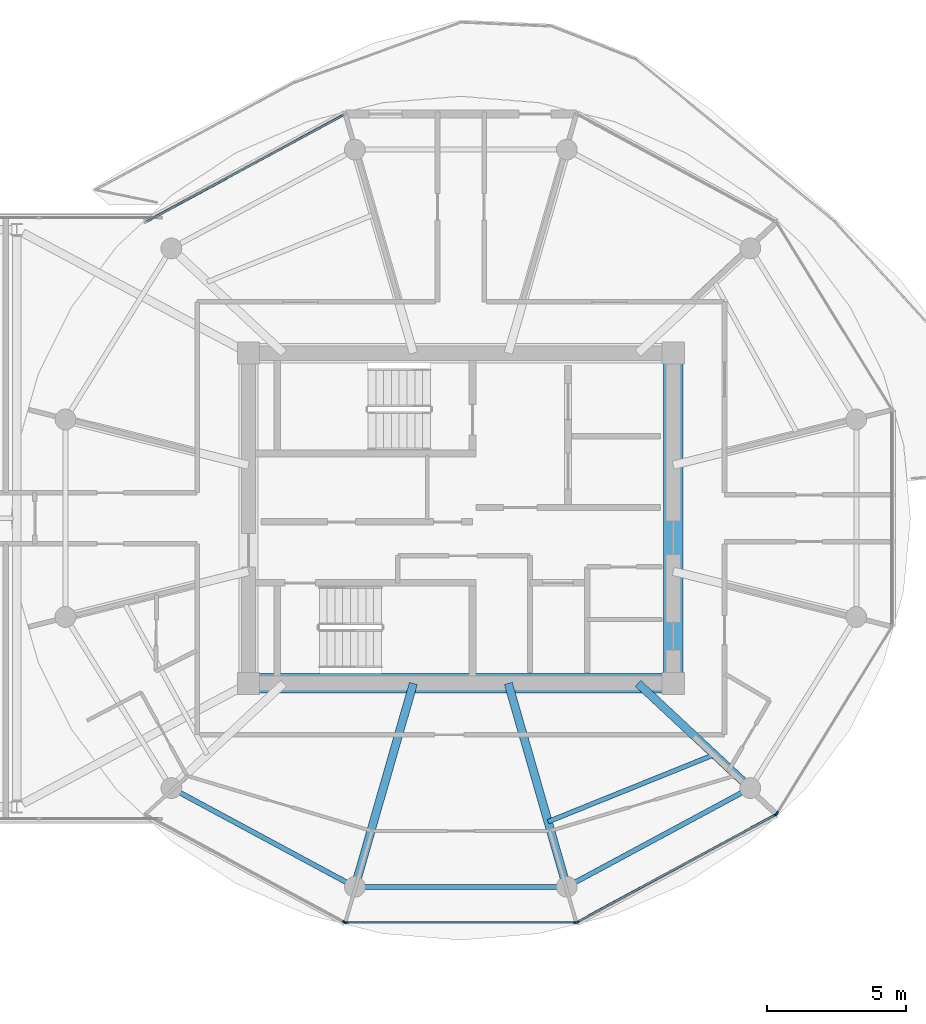
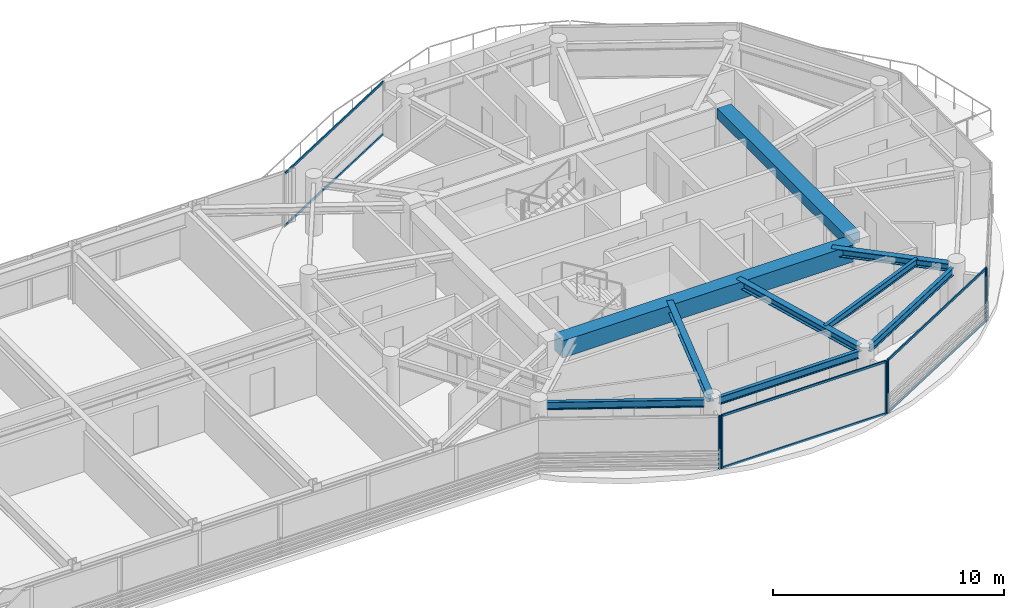
# One storey, part 9 of 23: 12 members, 9 beams, 5 elements without a shape of their own.
"""IFC4 building model written with IfcOpenShell, lengths in metres."""

from ifc_helpers import new_model, si_unit, direction, frame, origin, origin_2d, place, context, subcontext, project, spatial, rectangle, i_section, extrude, source, transform, mapped, material, layer, layer_set, material_profile, profile_set, type_object, type_shapes, element, aggregate, save


model = new_model("IFC4")

# Units and contexts
model_context = context("Model", 3, precision=1e-05, world=origin(), true_north=direction((0.0, 1.0)))
body_context = subcontext(model_context, "Body", "Model", "MODEL_VIEW")
ifc_project = project(units=[si_unit("LENGTHUNIT", "METRE"), si_unit("AREAUNIT", "SQUARE_METRE"), si_unit("VOLUMEUNIT", "CUBIC_METRE"), si_unit("PLANEANGLEUNIT", "RADIAN"), si_unit("MASSUNIT", "GRAM", prefix="KILO")], contexts=[model_context])

# Site, building, storey
site_placement = place(None, origin())
site = spatial("IfcSite", under=ifc_project, at=site_placement, CompositionType="ELEMENT")
building_placement = place(site_placement, origin())
building = spatial("IfcBuilding", under=site, at=building_placement, Name="Norrkilde Senior Care Towers", CompositionType="ELEMENT")
storey_placement = place(building_placement, frame((0.0, 0.0, 229.14990234375)))
storey = spatial("IfcBuildingStorey", under=building, at=storey_placement, Name="L71", CompositionType="ELEMENT", Elevation=229.14990234375)

# Beams
ifc_material_1 = material(Name="Concrete C60/75", Category="concrete")
ifc_material_profile_1 = material_profile(ifc_material_1, rectangle(XDim=0.699951171875, YDim=0.89990234375, at=origin_2d()), Name="RC BM 700x900")
ifc_profile_set_1 = profile_set([ifc_material_profile_1], Name="Concrete C60/75")
beam_type_1 = type_object("IfcBeamType", Name="Core Coupling Girder 700x900", PredefinedType="USERDEFINED", material=ifc_profile_set_1)
shared_shape_1 = source(origin(), body_context, "Body", "SweptSolid", [
    extrude(rectangle(XDim=0.699951171875, YDim=0.89990234375, at=origin_2d()), origin(), (0.0, 0.0, 1.0), 14.5400390625),
])
type_shapes(beam_type_1, [shared_shape_1])
beam_1_placement = place(storey_placement, frame((20.72998046875, -5.949951171875, 2.360107421875), z_axis=(1.0, 0.0, 0.0), x_axis=(0.0, 1.0, 0.0)))
element("IfcBeam", 1, at=beam_1_placement, inside=storey, type_object=beam_type_1, Name="L71 Core E S Coupling Girder", ObjectType="GIRDER", PredefinedType="USERDEFINED", context=body_context, shape_type="MappedRepresentation", body=[
    mapped(shared_shape_1, transform((0.0, 0.0, 0.0), x_axis=(1.0, 0.0, 0.0), y_axis=(0.0, 1.0, 0.0), z_axis=(0.0, 0.0, 1.0), scale=1.0)),
])
ifc_material_profile_2 = material_profile(ifc_material_1, rectangle(XDim=0.699951171875, YDim=0.550048828125, at=origin_2d()), Name="RC BM 700x550")
ifc_profile_set_2 = profile_set([ifc_material_profile_2], Name="Concrete C60/75")
beam_type_2 = type_object("IfcBeamType", Name="Core Portal Coupling Beam 700x550", PredefinedType="USERDEFINED", material=ifc_profile_set_2)
shared_shape_2 = source(origin(), body_context, "Body", "SweptSolid", [
    extrude(rectangle(XDim=0.699951171875, YDim=0.550048828125, at=origin_2d()), origin(), (0.0, 0.0, 1.0), 11.14013671875),
])
type_shapes(beam_type_2, [shared_shape_2])
beam_2_placement = place(storey_placement, frame((35.64990234375, -5.570068359375, 2.53515625), z_axis=(0.0, 1.0, 0.0), x_axis=(-1.0, 0.0, 0.0)))
element("IfcBeam", 2, at=beam_2_placement, inside=storey, type_object=beam_type_2, Name="L71 Core E E Coupling Girder", ObjectType="GIRDER", PredefinedType="USERDEFINED", context=body_context, shape_type="MappedRepresentation", body=[
    mapped(shared_shape_2, transform((0.0, 0.0, 0.0), x_axis=(1.0, 0.0, 0.0), y_axis=(0.0, 1.0, 0.0), z_axis=(0.0, 0.0, 1.0), scale=1.0)),
])
ifc_material_2 = material(Name="Steel S355", Category="steel")
ifc_material_profile_3 = material_profile(ifc_material_2, i_section(OverallWidth=0.179931640625, OverallDepth=0.39990234375, WebThickness=0.008544921875, FlangeThickness=0.013427734375, FilletRadius=0.02099609375, at=origin_2d()), Name="IPE 400")
ifc_profile_set_3 = profile_set([ifc_material_profile_3], Name="Steel S355")
beam_type_3 = type_object("IfcBeamType", Name="Perimeter Ring Spandrel Z4 IPE400", PredefinedType="SPANDREL", material=ifc_profile_set_3)
shared_shape_3 = source(origin(), body_context, "Body", "SweptSolid", [
    extrude(i_section(OverallWidth=0.179931640625, OverallDepth=0.39990234375, WebThickness=0.008544921875, FlangeThickness=0.013427734375, FilletRadius=0.02099609375, at=origin_2d()), origin(), (0.0, 0.0, 1.0), 6.839111328125),
])
for number, where, z_axis, x_axis, name in (
    (3, (17.865234375, -9.881591796875, 2.610107421875), (0.880563930732, -0.473927382511, 0.0), (0.473927382511, 0.880563930732, 0.0), "L71 Drum E Perimeter Spandrel 08"),
    (4, (32.112548828125, -13.122802734375, 2.610107421875), (0.880563930732, 0.473927382511, 0.0), (-0.473927382511, 0.880563930732, 0.0), "L71 Drum E Perimeter Spandrel 10"),
):
    element("IfcBeam", number, at=place(storey_placement, frame(where, z_axis=z_axis, x_axis=x_axis)), inside=storey, type_object=beam_type_3, Name=name, PredefinedType="SPANDREL", context=body_context, shape_type="MappedRepresentation", body=[
        mapped(shared_shape_3, transform((0.0, 0.0, 0.0), x_axis=(1.0, 0.0, 0.0), y_axis=(0.0, 1.0, 0.0), z_axis=(0.0, 0.0, 1.0), scale=1.0)),
    ])
ifc_material_profile_4 = material_profile(ifc_material_2, i_section(OverallWidth=0.300048828125, OverallDepth=0.39990234375, WebThickness=0.013427734375, FlangeThickness=0.02392578125, FilletRadius=0.027099609375, at=origin_2d()), Name="HEB 400")
ifc_profile_set_4 = profile_set([ifc_material_profile_4], Name="Steel S355")
beam_type_4 = type_object("IfcBeamType", Name="Radial Floor Beam Z4 HEB400", PredefinedType="BEAM", material=ifc_profile_set_4)
shared_shape_4 = source(origin(), body_context, "Body", "SweptSolid", [
    extrude(i_section(OverallWidth=0.300048828125, OverallDepth=0.39990234375, WebThickness=0.013427734375, FlangeThickness=0.02392578125, FilletRadius=0.027099609375, at=origin_2d()), origin(), (0.0, 0.0, 1.0), 5.197998046875),
])
beam_3_placement = place(storey_placement, frame((34.3828125, -5.949951171875, 2.610107421875), z_axis=(0.731448749334, -0.681896419625, 0.0), x_axis=(0.681896419625, 0.731448749334, 0.0)))
element("IfcBeam", 5, at=beam_3_placement, inside=storey, type_object=beam_type_4, Name="L71 Drum E Radial Floor Beam 11", PredefinedType="BEAM", context=body_context, shape_type="MappedRepresentation", body=[
    mapped(shared_shape_4, transform((0.0, 0.0, 0.0), x_axis=(1.0, 0.0, 0.0), y_axis=(0.0, 1.0, 0.0), z_axis=(0.0, 0.0, 1.0), scale=1.0)),
])
shared_shape_5 = source(origin(), body_context, "Body", "SweptSolid", [
    extrude(i_section(OverallWidth=0.179931640625, OverallDepth=0.39990234375, WebThickness=0.008544921875, FlangeThickness=0.013427734375, FilletRadius=0.02099609375, at=origin_2d()), origin(), (0.0, 0.0, 1.0), 6.96533203125),
])
type_shapes(beam_type_3, [shared_shape_3, shared_shape_5])
beam_4_placement = place(storey_placement, frame((24.517333984375, -13.281494140625, 2.610107421875), z_axis=(1.0, 0.0, 0.0), x_axis=(0.0, 1.0, 0.0)))
element("IfcBeam", 6, at=beam_4_placement, inside=storey, type_object=beam_type_3, Name="L71 Drum E Perimeter Spandrel 09", PredefinedType="SPANDREL", context=body_context, shape_type="MappedRepresentation", body=[
    mapped(shared_shape_5, transform((0.0, 0.0, 0.0), x_axis=(1.0, 0.0, 0.0), y_axis=(0.0, 1.0, 0.0), z_axis=(0.0, 0.0, 1.0), scale=1.0)),
])
shared_shape_6 = source(origin(), body_context, "Body", "SweptSolid", [
    extrude(i_section(OverallWidth=0.300048828125, OverallDepth=0.39990234375, WebThickness=0.013427734375, FlangeThickness=0.02392578125, FilletRadius=0.027099609375, at=origin_2d()), origin(), (0.0, 0.0, 1.0), 7.29345703125),
])
type_shapes(beam_type_4, [shared_shape_4, shared_shape_6])
for number, where, z_axis, x_axis, name in (
    (7, (26.289794921875, -5.949951171875, 2.610107421875), (-0.276263751906, -0.961081858836, 0.0), (0.961081858836, -0.276263751906, 0.0), "L71 Drum E Radial Floor Beam 09"),
    (8, (29.710205078125, -5.949951171875, 2.610107421875), (0.276263751906, -0.961081858836, 0.0), (0.961081858836, 0.276263751906, 0.0), "L71 Drum E Radial Floor Beam 10"),
):
    element("IfcBeam", number, at=place(storey_placement, frame(where, z_axis=z_axis, x_axis=x_axis)), inside=storey, type_object=beam_type_4, Name=name, PredefinedType="BEAM", context=body_context, shape_type="MappedRepresentation", body=[
        mapped(shared_shape_6, transform((0.0, 0.0, 0.0), x_axis=(1.0, 0.0, 0.0), y_axis=(0.0, 1.0, 0.0), z_axis=(0.0, 0.0, 1.0), scale=1.0)),
    ])
ifc_material_profile_5 = material_profile(ifc_material_2, i_section(OverallWidth=0.169921875, OverallDepth=0.360107421875, WebThickness=0.008056640625, FlangeThickness=0.0126953125, FilletRadius=0.01806640625, at=origin_2d()), Name="IPE 360")
ifc_profile_set_5 = profile_set([ifc_material_profile_5], Name="Steel S355")
beam_type_5 = type_object("IfcBeamType", Name="Secondary Floor Joist IPE360", PredefinedType="JOIST", material=ifc_profile_set_5)
shared_shape_7 = source(origin(), body_context, "Body", "SweptSolid", [
    extrude(i_section(OverallWidth=0.169921875, OverallDepth=0.360107421875, WebThickness=0.008056640625, FlangeThickness=0.0126953125, FilletRadius=0.01806640625, at=origin_2d()), origin(), (0.0, 0.0, 1.0), 6.461669921875),
])
type_shapes(beam_type_5, [shared_shape_7])
beam_5_placement = place(storey_placement, frame((31.143310546875, -10.935302734375, 2.630126953125), z_axis=(0.927225942298, 0.374502405772, 0.0), x_axis=(-0.374502405772, 0.927225942298, 0.0)))
element("IfcBeam", 9, at=beam_5_placement, inside=storey, type_object=beam_type_5, Name="L71 Drum E Secondary Floor Joist 4", PredefinedType="JOIST", context=body_context, shape_type="MappedRepresentation", body=[
    mapped(shared_shape_7, transform((0.0, 0.0, 0.0), x_axis=(1.0, 0.0, 0.0), y_axis=(0.0, 1.0, 0.0), z_axis=(0.0, 0.0, 1.0), scale=1.0)),
])

# Curtain wall, member
ifc_material_3 = material(Name="Triple Low-E Insulated Glazing", Category="glass")
ifc_layer = layer(ifc_material_3, 0.18505859375)
ifc_layer_set = layer_set([ifc_layer], Name="Triple Low-E Insulated Glazing")
curtain_wall_type = type_object("IfcCurtainWallType", Name="CW6 Zone 4 Crown Pavilion Curtain Wall", PredefinedType="NOTDEFINED", material=ifc_layer_set)
curtain_wall_1_placement = place(storey_placement, origin())
curtain_wall_1 = element("IfcCurtainWall", 10, at=curtain_wall_1_placement, inside=storey, type_object=curtain_wall_type, Name="L71 Drum E Curtain Wall 07", PredefinedType="NOTDEFINED")
ifc_material_4 = material(Name="Anodised Aluminium", Category="aluminium")
ifc_material_profile_6 = material_profile(ifc_material_4, rectangle(XDim=0.06494140625, YDim=0.14990234375, at=origin_2d()), Name="ALU MULL 65x150")
ifc_profile_set_6 = profile_set([ifc_material_profile_6], Name="Anodised Aluminium")
member_type_1 = type_object("IfcMemberType", Name="Curtain Wall Mullion Z3-Z4 65x150", PredefinedType="MULLION", material=ifc_profile_set_6)
shared_shape_8 = source(origin(), body_context, "Body", "SweptSolid", [
    extrude(rectangle(XDim=0.06494140625, YDim=0.14990234375, at=origin_2d()), origin(), (0.0, 0.0, 1.0), 2.81005859375),
])
type_shapes(member_type_1, [shared_shape_8])
member_1_placement = place(storey_placement, frame((23.8095703125, -14.55078125, 0.0), z_axis=(0.0, 0.0, 1.0), x_axis=(-0.476132676136, -0.879373455772, 0.0)))
member_1 = element("IfcMember", 11, at=member_1_placement, type_object=member_type_1, Name="CW-6 mullion 1", PredefinedType="MULLION", context=body_context, shape_type="MappedRepresentation", body=[
    mapped(shared_shape_8, transform((0.0, 0.0, 0.0), x_axis=(1.0, 0.0, 0.0), y_axis=(0.0, 1.0, 0.0), z_axis=(0.0, 0.0, 1.0), scale=1.0)),
])
aggregate(curtain_wall_1, [member_1])

# Curtain wall, members
curtain_wall_2_placement = place(storey_placement, origin())
curtain_wall_2 = element("IfcCurtainWall", 12, at=curtain_wall_2_placement, inside=storey, type_object=curtain_wall_type, Name="L71 Drum E Curtain Wall 08", PredefinedType="NOTDEFINED")
member_2_placement = place(storey_placement, frame((32.12939453125, -14.566162109375, 0.0), z_axis=(0.0, 0.0, 1.0), x_axis=(0.0, -1.0, 0.0)))
member_2 = element("IfcMember", 13, at=member_2_placement, type_object=member_type_1, Name="CW-6 mullion 1", PredefinedType="MULLION", context=body_context, shape_type="MappedRepresentation", body=[
    mapped(shared_shape_8, transform((0.0, 0.0, 0.0), x_axis=(1.0, 0.0, 0.0), y_axis=(0.0, 1.0, 0.0), z_axis=(0.0, 0.0, 1.0), scale=1.0)),
])
member_3_placement = place(storey_placement, frame((23.87060546875, -14.566162109375, 0.0), z_axis=(0.0, 0.0, 1.0), x_axis=(0.0, -1.0, 0.0)))
member_3 = element("IfcMember", 14, at=member_3_placement, type_object=member_type_1, Name="CW-6 mullion 2", PredefinedType="MULLION", context=body_context, shape_type="MappedRepresentation", body=[
    mapped(shared_shape_8, transform((0.0, 0.0, 0.0), x_axis=(1.0, 0.0, 0.0), y_axis=(0.0, 1.0, 0.0), z_axis=(0.0, 0.0, 1.0), scale=1.0)),
])

curtain_wall_3_placement = place(storey_placement, origin())
curtain_wall_3 = element("IfcCurtainWall", 15, at=curtain_wall_3_placement, inside=storey, type_object=curtain_wall_type, Name="L71 Drum E Curtain Wall 09", PredefinedType="NOTDEFINED")
member_4_placement = place(storey_placement, frame((39.341796875, -10.6787109375, 0.0), z_axis=(0.0, 0.0, 1.0), x_axis=(0.476132676136, -0.879373455772, 0.0)))
member_4 = element("IfcMember", 16, at=member_4_placement, type_object=member_type_1, Name="CW-6 mullion 1", PredefinedType="MULLION", context=body_context, shape_type="MappedRepresentation", body=[
    mapped(shared_shape_8, transform((0.0, 0.0, 0.0), x_axis=(1.0, 0.0, 0.0), y_axis=(0.0, 1.0, 0.0), z_axis=(0.0, 0.0, 1.0), scale=1.0)),
])
member_5_placement = place(storey_placement, frame((32.1904296875, -14.55078125, 0.0), z_axis=(0.0, 0.0, 1.0), x_axis=(0.476132676136, -0.879373455772, 0.0)))
member_5 = element("IfcMember", 17, at=member_5_placement, type_object=member_type_1, Name="CW-6 mullion 2", PredefinedType="MULLION", context=body_context, shape_type="MappedRepresentation", body=[
    mapped(shared_shape_8, transform((0.0, 0.0, 0.0), x_axis=(1.0, 0.0, 0.0), y_axis=(0.0, 1.0, 0.0), z_axis=(0.0, 0.0, 1.0), scale=1.0)),
])

# Curtain wall, member
curtain_wall_4_placement = place(storey_placement, origin())
curtain_wall_4 = element("IfcCurtainWall", 18, at=curtain_wall_4_placement, inside=storey, type_object=curtain_wall_type, Name="L71 Drum E Curtain Wall 10", PredefinedType="NOTDEFINED")
member_6_placement = place(storey_placement, frame((39.38720703125, -10.635498046875, 0.0), z_axis=(0.0, 0.0, 1.0), x_axis=(0.851562727283, -0.524252726748, 0.0)))
member_6 = element("IfcMember", 19, at=member_6_placement, type_object=member_type_1, Name="CW-6 mullion 2", PredefinedType="MULLION", context=body_context, shape_type="MappedRepresentation", body=[
    mapped(shared_shape_8, transform((0.0, 0.0, 0.0), x_axis=(1.0, 0.0, 0.0), y_axis=(0.0, 1.0, 0.0), z_axis=(0.0, 0.0, 1.0), scale=1.0)),
])
aggregate(curtain_wall_4, [member_6])

# Member
ifc_material_profile_7 = material_profile(ifc_material_4, rectangle(XDim=0.06005859375, YDim=0.1201171875, at=origin_2d()), Name="ALU TRAN 60x120")
ifc_profile_set_7 = profile_set([ifc_material_profile_7], Name="Anodised Aluminium")
member_type_2 = type_object("IfcMemberType", Name="Curtain Wall Transom Typical 60x120", PredefinedType="USERDEFINED", material=ifc_profile_set_7)
shared_shape_9 = source(origin(), body_context, "Body", "SweptSolid", [
    extrude(rectangle(XDim=0.06005859375, YDim=0.1201171875, at=origin_2d()), origin(), (0.0, 0.0, 1.0), 8.19384765625),
])
member_7_placement = place(storey_placement, frame((32.096923828125, -14.566162109375, 0.030029296875), z_axis=(-1.0, 0.0, 0.0), x_axis=(0.0, -1.0, 0.0)))
member_7 = element("IfcMember", 20, at=member_7_placement, type_object=member_type_2, Name="CW-6 transom 1.1", ObjectType="TRANSOM", PredefinedType="USERDEFINED", context=body_context, shape_type="MappedRepresentation", body=[
    mapped(shared_shape_9, transform((0.0, 0.0, 0.0), x_axis=(1.0, 0.0, 0.0), y_axis=(0.0, 1.0, 0.0), z_axis=(0.0, 0.0, 1.0), scale=1.0)),
])

member_8_placement = place(storey_placement, frame((32.096923828125, -14.566162109375, 2.780029296875), z_axis=(-1.0, 0.0, 0.0), x_axis=(0.0, -1.0, 0.0)))
member_8 = element("IfcMember", 21, at=member_8_placement, type_object=member_type_2, Name="CW-6 transom 1.2", ObjectType="TRANSOM", PredefinedType="USERDEFINED", context=body_context, shape_type="MappedRepresentation", body=[
    mapped(shared_shape_9, transform((0.0, 0.0, 0.0), x_axis=(1.0, 0.0, 0.0), y_axis=(0.0, 1.0, 0.0), z_axis=(0.0, 0.0, 1.0), scale=1.0)),
])

aggregate(curtain_wall_2, [member_2, member_3, member_7, member_8])

# Curtain wall, members
curtain_wall_5_placement = place(storey_placement, origin())
curtain_wall_5 = element("IfcCurtainWall", 22, at=curtain_wall_5_placement, inside=storey, type_object=curtain_wall_type, Name="L71 Drum E Curtain Wall 03", PredefinedType="NOTDEFINED")
shared_shape_10 = source(origin(), body_context, "Body", "SweptSolid", [
    extrude(rectangle(XDim=0.06005859375, YDim=0.1201171875, at=origin_2d()), origin(), (0.0, 0.0, 1.0), 8.0673828125),
])
type_shapes(member_type_2, [shared_shape_9, shared_shape_10])
member_9_placement = place(storey_placement, frame((16.686767578125, 10.694091796875, 0.030029296875), z_axis=(0.87937750072, 0.476125205411, 0.0), x_axis=(-0.476125205411, 0.87937750072, 0.0)))
member_9 = element("IfcMember", 23, at=member_9_placement, type_object=member_type_2, Name="CW-6 transom 1.1", ObjectType="TRANSOM", PredefinedType="USERDEFINED", context=body_context, shape_type="MappedRepresentation", body=[
    mapped(shared_shape_10, transform((0.0, 0.0, 0.0), x_axis=(1.0, 0.0, 0.0), y_axis=(0.0, 1.0, 0.0), z_axis=(0.0, 0.0, 1.0), scale=1.0)),
])
member_10_placement = place(storey_placement, frame((16.686767578125, 10.694091796875, 2.780029296875), z_axis=(0.87937750072, 0.476125205411, 0.0), x_axis=(-0.476125205411, 0.87937750072, 0.0)))
member_10 = element("IfcMember", 24, at=member_10_placement, type_object=member_type_2, Name="CW-6 transom 1.2", ObjectType="TRANSOM", PredefinedType="USERDEFINED", context=body_context, shape_type="MappedRepresentation", body=[
    mapped(shared_shape_10, transform((0.0, 0.0, 0.0), x_axis=(1.0, 0.0, 0.0), y_axis=(0.0, 1.0, 0.0), z_axis=(0.0, 0.0, 1.0), scale=1.0)),
])
aggregate(curtain_wall_5, [member_9, member_10])

# Member
member_11_placement = place(storey_placement, frame((39.313232421875, -10.694091796875, 0.030029296875), z_axis=(-0.87937750072, -0.476125205411, 0.0), x_axis=(0.476125205411, -0.87937750072, 0.0)))
member_11 = element("IfcMember", 25, at=member_11_placement, type_object=member_type_2, Name="CW-6 transom 1.1", ObjectType="TRANSOM", PredefinedType="USERDEFINED", context=body_context, shape_type="MappedRepresentation", body=[
    mapped(shared_shape_10, transform((0.0, 0.0, 0.0), x_axis=(1.0, 0.0, 0.0), y_axis=(0.0, 1.0, 0.0), z_axis=(0.0, 0.0, 1.0), scale=1.0)),
])

member_12_placement = place(storey_placement, frame((39.313232421875, -10.694091796875, 2.780029296875), z_axis=(-0.87937750072, -0.476125205411, 0.0), x_axis=(0.476125205411, -0.87937750072, 0.0)))
member_12 = element("IfcMember", 26, at=member_12_placement, type_object=member_type_2, Name="CW-6 transom 1.2", ObjectType="TRANSOM", PredefinedType="USERDEFINED", context=body_context, shape_type="MappedRepresentation", body=[
    mapped(shared_shape_10, transform((0.0, 0.0, 0.0), x_axis=(1.0, 0.0, 0.0), y_axis=(0.0, 1.0, 0.0), z_axis=(0.0, 0.0, 1.0), scale=1.0)),
])

aggregate(curtain_wall_3, [member_4, member_5, member_11, member_12])

save(model, "model.ifc")
